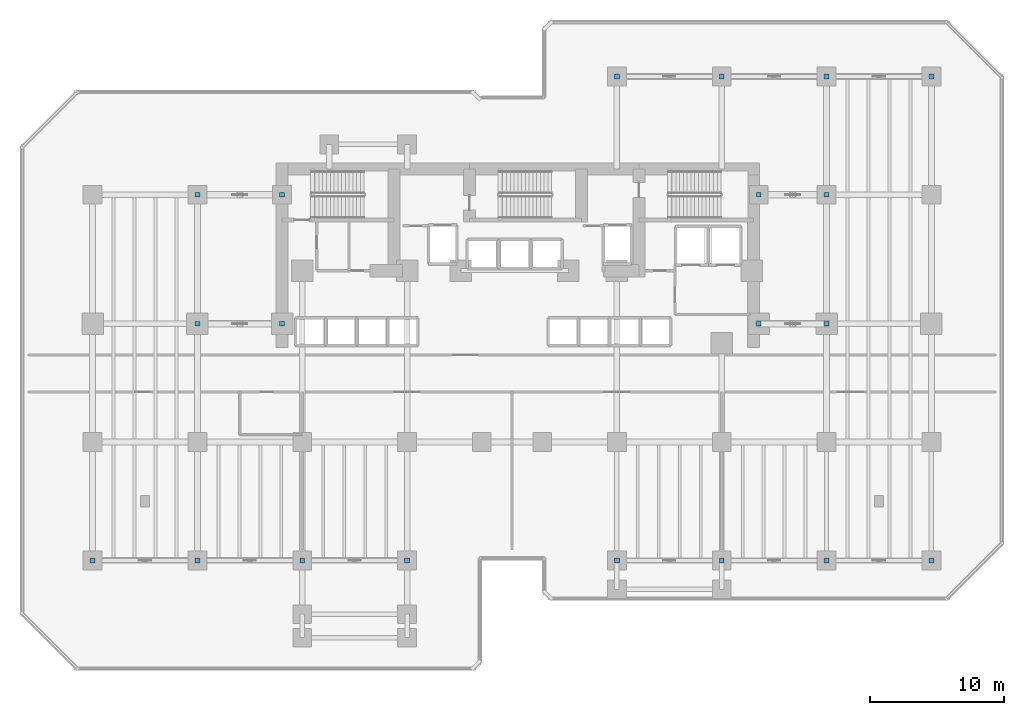
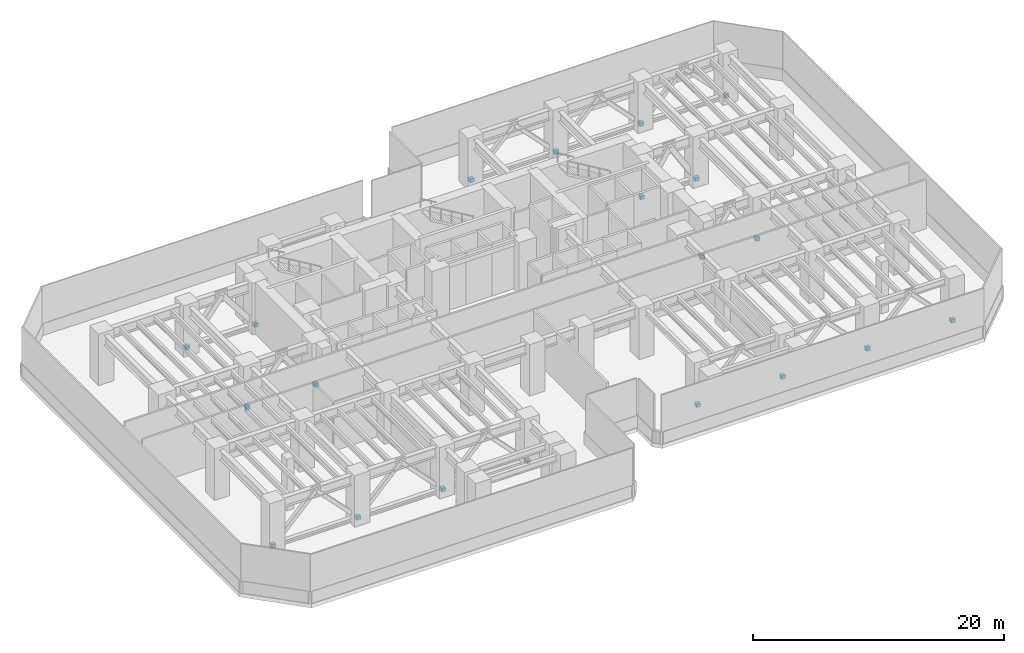
# One storey, part 9 of 13: 20 discrete accessories.
"""IFC4 building model written with IfcOpenShell, lengths in metres."""

import ifcopenshell
import ifcopenshell.guid

model = None  # the IFC model being written
_history = None  # IfcOwnerHistory: only IFC2X3 demands one
_inside = {}  # id of a spatial element -> (the spatial element, [elements in it])
_under = {}  # id of a project, library or spatial element -> (it, [spatial elements below it])
_declared = {}  # id of a project -> (the project, [libraries it declares])
_typed = {}  # id of a type object -> (the type object, [elements of that type])
_made_of = {}  # id of a material, layer set ... -> (it, [elements and type objects made of it])


def new_model(schema):
    """Start an empty IFC model of exactly this schema.

    Asked for "IFC4X3", IfcOpenShell would pick the latest addendum, in which some entities
    have other attributes; the version numbers below select the first issue.
    IFC2X3 requires an IfcOwnerHistory on every rooted entity: one is made here for all.
    """
    global model, _history
    if schema == "IFC4X3":
        model = ifcopenshell.file(schema_version=(4, 3, 0, 0))
    else:
        model = ifcopenshell.file(schema=schema)
    _inside.clear()
    _under.clear()
    _declared.clear()
    _typed.clear()
    _made_of.clear()
    _history = None
    if model.schema == "IFC2X3":
        org = make("IfcOrganization", Name="unknown")
        user = make(
            "IfcPersonAndOrganization",
            ThePerson=make("IfcPerson", FamilyName="unknown"),
            TheOrganization=org,
        )
        app = make(
            "IfcApplication",
            ApplicationDeveloper=org,
            Version="unknown",
            ApplicationFullName="unknown",
            ApplicationIdentifier="unknown",
        )
        _history = make(
            "IfcOwnerHistory",
            OwningUser=user,
            OwningApplication=app,
            ChangeAction="ADDED",
            CreationDate=0,
        )
    return model


def make(cls, **values):
    """One entity of the class cls with the attributes given. An attribute that is None is left unset."""
    return model.create_entity(
        cls, **{name: value for name, value in values.items() if value is not None}
    )


def rooted(cls, **values):
    """An entity with a GlobalId (a new one), such as an element, a storey or a relation."""
    return make(cls, GlobalId=ifcopenshell.guid.new(), OwnerHistory=_history, **values)


def si_unit(unit_type, name, prefix=None):
    """IfcSIUnit, for example si_unit("LENGTHUNIT", "METRE", prefix="MILLI")."""
    return make("IfcSIUnit", UnitType=unit_type, Prefix=prefix, Name=name)


def assignment(units):
    """IfcUnitAssignment: the units of a project."""
    return None if units is None else make("IfcUnitAssignment", Units=units)


def point(xyz):
    """IfcCartesianPoint."""
    return None if xyz is None else make("IfcCartesianPoint", Coordinates=xyz)


def direction(xyz):
    """IfcDirection."""
    return None if xyz is None else make("IfcDirection", DirectionRatios=xyz)


def frame(location, z_axis=None, x_axis=None):
    """IfcAxis2Placement3D, a coordinate frame: its origin and axes. An axis left out is left unset."""
    return make(
        "IfcAxis2Placement3D",
        Location=point(location),
        Axis=direction(z_axis),
        RefDirection=direction(x_axis),
    )


def frame_2d(location, x_axis=None):
    """IfcAxis2Placement2D, a coordinate frame in the plane: its origin and x axis."""
    return make(
        "IfcAxis2Placement2D", Location=point(location), RefDirection=direction(x_axis)
    )


def origin():
    """The frame at (0, 0, 0) with its axes left unset."""
    return frame((0.0, 0.0, 0.0))


def origin_2d():
    """The frame at (0, 0) in the plane with its x axis left unset."""
    return frame_2d((0.0, 0.0))


def place(relative_to, where):
    """IfcLocalPlacement: puts the frame where relative to a parent placement (None: the world)."""
    return make(
        "IfcLocalPlacement", PlacementRelTo=relative_to, RelativePlacement=where
    )


def context(
    kind, dimensions, precision=None, world=None, true_north=None, identifier=None
):
    """IfcGeometricRepresentationContext, for example the 3D "Model" context."""
    return make(
        "IfcGeometricRepresentationContext",
        ContextIdentifier=identifier,
        ContextType=kind,
        CoordinateSpaceDimension=dimensions,
        Precision=precision,
        WorldCoordinateSystem=world,
        TrueNorth=true_north,
    )


def subcontext(parent, identifier, kind, view, scale=None):
    """IfcGeometricRepresentationSubContext, for example "Body" below "Model"."""
    return make(
        "IfcGeometricRepresentationSubContext",
        ContextIdentifier=identifier,
        ContextType=kind,
        ParentContext=parent,
        TargetScale=scale,
        TargetView=view,
    )


def project(units=None, contexts=None):
    """IfcProject with its units and contexts."""
    return rooted(
        "IfcProject",
        Name="project",
        RepresentationContexts=contexts,
        UnitsInContext=assignment(units),
    )


def spatial(cls, under=None, at=None, **own):
    """A site, building, storey or space (cls), placed at a placement, below another one or the project."""
    s = rooted(cls, ObjectPlacement=at, **own)
    if under is not None:
        _under.setdefault(under.id(), (under, []))[1].append(s)
    return s


def profile(cls, at=None, kind="AREA", **sizes):
    """A parametric profile (cls). Its sizes go by their IFC names, for example OverallWidth=200.0."""
    return make(cls, ProfileType=kind, Position=at, **sizes)


def rectangle(**sizes):
    """IfcRectangleProfileDef."""
    return profile("IfcRectangleProfileDef", **sizes)


def extrude(swept, where, along, depth):
    """IfcExtrudedAreaSolid: the profile swept, set in the frame where, extruded along a direction by depth."""
    return make(
        "IfcExtrudedAreaSolid",
        SweptArea=swept,
        Position=where,
        ExtrudedDirection=direction(along),
        Depth=depth,
    )


def shape(context_of_items, identifier, shape_type, items):
    """IfcShapeRepresentation: the items that make up one representation, for example the "Body"."""
    return make(
        "IfcShapeRepresentation",
        ContextOfItems=context_of_items,
        RepresentationIdentifier=identifier,
        RepresentationType=shape_type,
        Items=items,
    )


def material(Name=None, Category=None):
    """IfcMaterial."""
    return make("IfcMaterial", Name=Name, Category=Category)


def made_of(thing, what):
    """Note that an element or type object is made of a material, layer set ...; save() writes the relation."""
    if what is not None:
        _made_of.setdefault(what.id(), (what, []))[1].append(thing)
    return thing


def type_object(cls, material=None, **own):
    """A type object (cls), such as IfcWallType, which elements share."""
    return made_of(rooted(cls, **own), material)


def element(
    cls,
    number,
    at=None,
    inside=None,
    cuts=None,
    type_object=None,
    material=None,
    context=None,
    identifier="Body",
    shape_type=None,
    held_by="IfcProductDefinitionShape",
    body=None,
    shapes=None,
    **own,
):
    """One element of the class cls, such as IfcWall. Its Tag is "e" and its number.

    at: its placement. inside: the storey or other place that contains it. cuts: it is an
    opening in that element (IfcRelVoidsElement). A single representation is given by context,
    identifier, shape_type and body (its items); several are given by shapes. held_by: the class
    of the entity that holds the representations. save() writes the other relations.
    """
    e = rooted(cls, Tag="e%d" % number, ObjectPlacement=at, **own)
    if body is not None:
        shapes = [shape(context, identifier, shape_type, body)]
    if shapes is not None:
        e.Representation = make(held_by, Representations=shapes)
    if inside is not None:
        _inside.setdefault(inside.id(), (inside, []))[1].append(e)
    if cuts is not None:
        rooted(
            "IfcRelVoidsElement", RelatingBuildingElement=cuts, RelatedOpeningElement=e
        )
    if type_object is not None:
        _typed.setdefault(type_object.id(), (type_object, []))[1].append(e)
    return made_of(e, material)


def aggregate(whole, parts):
    """IfcRelAggregates: a whole, such as a stair, and the parts it consists of."""
    return rooted("IfcRelAggregates", RelatingObject=whole, RelatedObjects=parts)


def save(model, path):
    """Write the relations noted so far, then the file.

    IfcRelAggregates (storeys below a building ...), IfcRelContainedInSpatialStructure (elements
    in a storey), IfcRelDefinesByType, IfcRelAssociatesMaterial and IfcRelDeclares: one each for
    every whole, place, type object, material and project.
    """
    for whole, parts in _under.values():
        aggregate(whole, parts)
    for where, things in _inside.values():
        rooted(
            "IfcRelContainedInSpatialStructure",
            RelatedElements=things,
            RelatingStructure=where,
        )
    for kind, things in _typed.values():
        rooted("IfcRelDefinesByType", RelatedObjects=things, RelatingType=kind)
    for what, things in _made_of.values():
        rooted("IfcRelAssociatesMaterial", RelatedObjects=things, RelatingMaterial=what)
    for by, libraries in _declared.values():
        rooted("IfcRelDeclares", RelatingContext=by, RelatedDefinitions=libraries)
    model.write(path)


model = new_model("IFC4")

# Units and contexts
model_context = context("Model", 3, precision=1e-05, world=origin(), true_north=direction((0.0, 1.0)))
body_context = subcontext(model_context, "Body", "Model", "MODEL_VIEW")
ifc_project = project(units=[si_unit("LENGTHUNIT", "METRE"), si_unit("AREAUNIT", "SQUARE_METRE"), si_unit("VOLUMEUNIT", "CUBIC_METRE"), si_unit("PLANEANGLEUNIT", "RADIAN"), si_unit("MASSUNIT", "GRAM", prefix="KILO")], contexts=[model_context])

# Site, building, storey
site_placement = place(None, origin())
site = spatial("IfcSite", under=ifc_project, at=site_placement, CompositionType="ELEMENT")
building_placement = place(site_placement, origin())
building = spatial("IfcBuilding", under=site, at=building_placement, Name="Kestravale Grand Hotel", CompositionType="ELEMENT")
storey_placement = place(building_placement, frame((0.0, 0.0, 75.39990234375)))
storey = spatial("IfcBuildingStorey", under=building, at=storey_placement, Name="L18", CompositionType="ELEMENT", Elevation=75.39990234375)

# Discrete accessories
ifc_material = material(Name="Steel ASTM A572 Grade 50 hot-dip galvanised bracket", Category="steel")
discrete_accessory_type = type_object("IfcDiscreteAccessoryType", Name="ACC-BRK-STL", PredefinedType="BRACKET", material=ifc_material)
for number, where, z_axis, x_axis, name in (
    (1, (15.60009765625, 28.800048828125, 0.169921875), (0.0, 0.0, 1.0), (1.0, 0.0, 0.0), "L18 west outrigger column node E"),
    (2, (21.89990234375, 28.800048828125, 0.169921875), (0.0, 0.0, 1.0), (1.0, 0.0, 0.0), "L18 west outrigger core node E"),
    (3, (57.35009765625, 28.800048828125, 0.169921875), (0.0, 0.0, 1.0), (1.0, 0.0, 0.0), "L18 east outrigger core node E"),
    (4, (62.39990234375, 28.800048828125, 0.169921875), (0.0, 0.0, 1.0), (1.0, 0.0, 0.0), "L18 east outrigger column node E"),
    (5, (15.60009765625, 38.39990234375, 0.169921875), (0.0, 0.0, 1.0), (1.0, 0.0, 0.0), "L18 west outrigger column node F"),
    (6, (21.89990234375, 38.39990234375, 0.169921875), (0.0, 0.0, 1.0), (1.0, 0.0, 0.0), "L18 west outrigger core node F"),
    (7, (57.35009765625, 38.39990234375, 0.169921875), (0.0, 0.0, 1.0), (1.0, 0.0, 0.0), "L18 east outrigger core node F"),
    (8, (62.39990234375, 38.39990234375, 0.169921875), (0.0, 0.0, 1.0), (1.0, 0.0, 0.0), "L18 east outrigger column node F"),
    (9, (7.800048828125, 11.199951171875, 0.169921875), (0.0, 0.0, 1.0), (1.0, 0.0, 0.0), "L18 belt truss node bracket C-2"),
    (10, (15.60009765625, 11.199951171875, 0.169921875), (0.0, 0.0, 1.0), (1.0, 0.0, 0.0), "L18 belt truss node bracket C-3"),
    (11, (23.39990234375, 11.199951171875, 0.169921875), (0.0, 0.0, 1.0), (1.0, 0.0, 0.0), "L18 belt truss node bracket C-4"),
    (12, (31.199951171875, 11.199951171875, 0.169921875), (0.0, 0.0, 1.0), (1.0, 0.0, 0.0), "L18 belt truss node bracket C-5"),
    (13, (46.800048828125, 11.199951171875, 0.169921875), (0.0, 0.0, 1.0), (1.0, 0.0, 0.0), "L18 belt truss node bracket C-8"),
    (14, (54.60009765625, 11.199951171875, 0.169921875), (0.0, 0.0, 1.0), (1.0, 0.0, 0.0), "L18 belt truss node bracket C-9"),
    (15, (62.39990234375, 11.199951171875, 0.169921875), (0.0, 0.0, 1.0), (1.0, 0.0, 0.0), "L18 belt truss node bracket C-10"),
    (16, (70.199951171875, 11.199951171875, 0.169921875), (0.0, 0.0, 1.0), (1.0, 0.0, 0.0), "L18 belt truss node bracket C-11"),
    (17, (46.800048828125, 47.199951171875, 0.169921875), (0.0, 0.0, 1.0), (1.0, 0.0, 0.0), "L18 belt truss node bracket G-8"),
    (18, (54.60009765625, 47.199951171875, 0.169921875), (0.0, 0.0, 1.0), (1.0, 0.0, 0.0), "L18 belt truss node bracket G-9"),
    (19, (62.39990234375, 47.199951171875, 0.169921875), (0.0, 0.0, 1.0), (1.0, 0.0, 0.0), "L18 belt truss node bracket G-10"),
    (20, (70.199951171875, 47.199951171875, 0.169921875), (0.0, 0.0, 1.0), (1.0, 0.0, 0.0), "L18 belt truss node bracket G-11"),
):
    element("IfcDiscreteAccessory", number, at=place(storey_placement, frame(where, z_axis=z_axis, x_axis=x_axis)), inside=storey, type_object=discrete_accessory_type, Name=name, PredefinedType="BRACKET", context=body_context, shape_type="SweptSolid", body=[
        extrude(rectangle(XDim=0.360107421875, YDim=0.360107421875, at=origin_2d()), origin(), (0.0, 0.0, 1.0), 0.360107421875),
    ])

save(model, "model.ifc")
